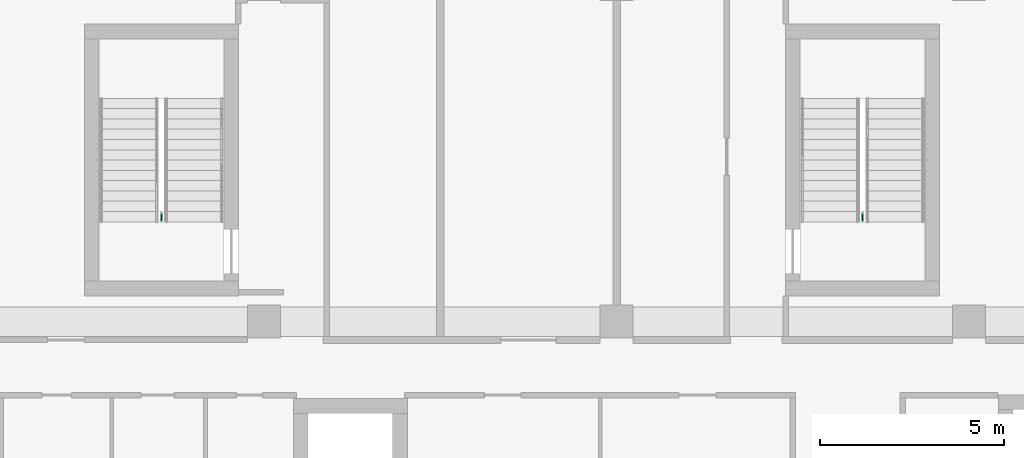
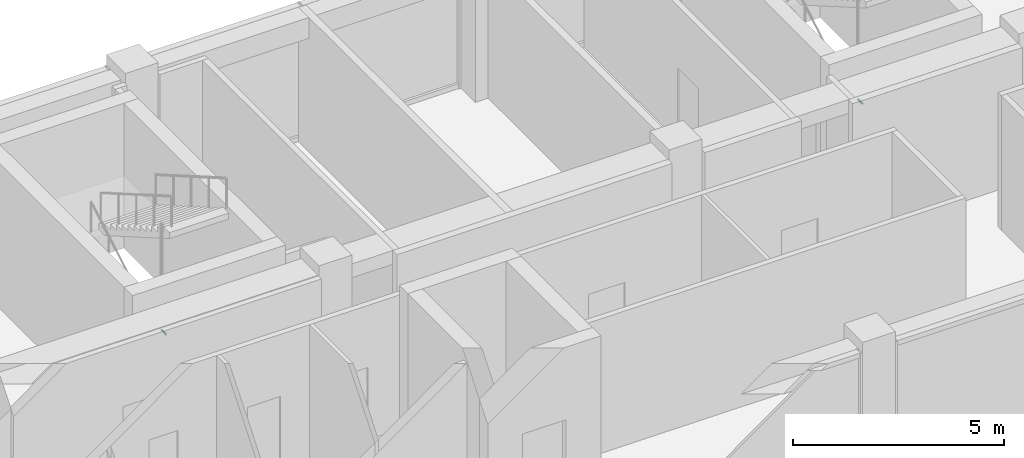
# One storey, part 38 of 38: 2 pipe fittings.
"""IFC4 building model written with IfcOpenShell, lengths in metres."""

import ifcopenshell
import ifcopenshell.guid

model = None  # the IFC model being written
_history = None  # IfcOwnerHistory: only IFC2X3 demands one
_inside = {}  # id of a spatial element -> (the spatial element, [elements in it])
_under = {}  # id of a project, library or spatial element -> (it, [spatial elements below it])
_declared = {}  # id of a project -> (the project, [libraries it declares])
_typed = {}  # id of a type object -> (the type object, [elements of that type])
_made_of = {}  # id of a material, layer set ... -> (it, [elements and type objects made of it])


def new_model(schema):
    """Start an empty IFC model of exactly this schema.

    Asked for "IFC4X3", IfcOpenShell would pick the latest addendum, in which some entities
    have other attributes; the version numbers below select the first issue.
    IFC2X3 requires an IfcOwnerHistory on every rooted entity: one is made here for all.
    """
    global model, _history
    if schema == "IFC4X3":
        model = ifcopenshell.file(schema_version=(4, 3, 0, 0))
    else:
        model = ifcopenshell.file(schema=schema)
    _inside.clear()
    _under.clear()
    _declared.clear()
    _typed.clear()
    _made_of.clear()
    _history = None
    if model.schema == "IFC2X3":
        org = make("IfcOrganization", Name="unknown")
        user = make(
            "IfcPersonAndOrganization",
            ThePerson=make("IfcPerson", FamilyName="unknown"),
            TheOrganization=org,
        )
        app = make(
            "IfcApplication",
            ApplicationDeveloper=org,
            Version="unknown",
            ApplicationFullName="unknown",
            ApplicationIdentifier="unknown",
        )
        _history = make(
            "IfcOwnerHistory",
            OwningUser=user,
            OwningApplication=app,
            ChangeAction="ADDED",
            CreationDate=0,
        )
    return model


def make(cls, **values):
    """One entity of the class cls with the attributes given. An attribute that is None is left unset."""
    return model.create_entity(
        cls, **{name: value for name, value in values.items() if value is not None}
    )


def rooted(cls, **values):
    """An entity with a GlobalId (a new one), such as an element, a storey or a relation."""
    return make(cls, GlobalId=ifcopenshell.guid.new(), OwnerHistory=_history, **values)


def si_unit(unit_type, name, prefix=None):
    """IfcSIUnit, for example si_unit("LENGTHUNIT", "METRE", prefix="MILLI")."""
    return make("IfcSIUnit", UnitType=unit_type, Prefix=prefix, Name=name)


def assignment(units):
    """IfcUnitAssignment: the units of a project."""
    return None if units is None else make("IfcUnitAssignment", Units=units)


def point(xyz):
    """IfcCartesianPoint."""
    return None if xyz is None else make("IfcCartesianPoint", Coordinates=xyz)


def direction(xyz):
    """IfcDirection."""
    return None if xyz is None else make("IfcDirection", DirectionRatios=xyz)


def frame(location, z_axis=None, x_axis=None):
    """IfcAxis2Placement3D, a coordinate frame: its origin and axes. An axis left out is left unset."""
    return make(
        "IfcAxis2Placement3D",
        Location=point(location),
        Axis=direction(z_axis),
        RefDirection=direction(x_axis),
    )


def frame_2d(location, x_axis=None):
    """IfcAxis2Placement2D, a coordinate frame in the plane: its origin and x axis."""
    return make(
        "IfcAxis2Placement2D", Location=point(location), RefDirection=direction(x_axis)
    )


def origin():
    """The frame at (0, 0, 0) with its axes left unset."""
    return frame((0.0, 0.0, 0.0))


def origin_2d():
    """The frame at (0, 0) in the plane with its x axis left unset."""
    return frame_2d((0.0, 0.0))


def place(relative_to, where):
    """IfcLocalPlacement: puts the frame where relative to a parent placement (None: the world)."""
    return make(
        "IfcLocalPlacement", PlacementRelTo=relative_to, RelativePlacement=where
    )


def context(
    kind, dimensions, precision=None, world=None, true_north=None, identifier=None
):
    """IfcGeometricRepresentationContext, for example the 3D "Model" context."""
    return make(
        "IfcGeometricRepresentationContext",
        ContextIdentifier=identifier,
        ContextType=kind,
        CoordinateSpaceDimension=dimensions,
        Precision=precision,
        WorldCoordinateSystem=world,
        TrueNorth=true_north,
    )


def subcontext(parent, identifier, kind, view, scale=None):
    """IfcGeometricRepresentationSubContext, for example "Body" below "Model"."""
    return make(
        "IfcGeometricRepresentationSubContext",
        ContextIdentifier=identifier,
        ContextType=kind,
        ParentContext=parent,
        TargetScale=scale,
        TargetView=view,
    )


def project(units=None, contexts=None):
    """IfcProject with its units and contexts."""
    return rooted(
        "IfcProject",
        Name="project",
        RepresentationContexts=contexts,
        UnitsInContext=assignment(units),
    )


def spatial(cls, under=None, at=None, **own):
    """A site, building, storey or space (cls), placed at a placement, below another one or the project."""
    s = rooted(cls, ObjectPlacement=at, **own)
    if under is not None:
        _under.setdefault(under.id(), (under, []))[1].append(s)
    return s


def profile(cls, at=None, kind="AREA", **sizes):
    """A parametric profile (cls). Its sizes go by their IFC names, for example OverallWidth=200.0."""
    return make(cls, ProfileType=kind, Position=at, **sizes)


def circle(**sizes):
    """IfcCircleProfileDef."""
    return profile("IfcCircleProfileDef", **sizes)


def extrude(swept, where, along, depth):
    """IfcExtrudedAreaSolid: the profile swept, set in the frame where, extruded along a direction by depth."""
    return make(
        "IfcExtrudedAreaSolid",
        SweptArea=swept,
        Position=where,
        ExtrudedDirection=direction(along),
        Depth=depth,
    )


def shape(context_of_items, identifier, shape_type, items):
    """IfcShapeRepresentation: the items that make up one representation, for example the "Body"."""
    return make(
        "IfcShapeRepresentation",
        ContextOfItems=context_of_items,
        RepresentationIdentifier=identifier,
        RepresentationType=shape_type,
        Items=items,
    )


def made_of(thing, what):
    """Note that an element or type object is made of a material, layer set ...; save() writes the relation."""
    if what is not None:
        _made_of.setdefault(what.id(), (what, []))[1].append(thing)
    return thing


def element(
    cls,
    number,
    at=None,
    inside=None,
    cuts=None,
    type_object=None,
    material=None,
    context=None,
    identifier="Body",
    shape_type=None,
    held_by="IfcProductDefinitionShape",
    body=None,
    shapes=None,
    **own,
):
    """One element of the class cls, such as IfcWall. Its Tag is "e" and its number.

    at: its placement. inside: the storey or other place that contains it. cuts: it is an
    opening in that element (IfcRelVoidsElement). A single representation is given by context,
    identifier, shape_type and body (its items); several are given by shapes. held_by: the class
    of the entity that holds the representations. save() writes the other relations.
    """
    e = rooted(cls, Tag="e%d" % number, ObjectPlacement=at, **own)
    if body is not None:
        shapes = [shape(context, identifier, shape_type, body)]
    if shapes is not None:
        e.Representation = make(held_by, Representations=shapes)
    if inside is not None:
        _inside.setdefault(inside.id(), (inside, []))[1].append(e)
    if cuts is not None:
        rooted(
            "IfcRelVoidsElement", RelatingBuildingElement=cuts, RelatedOpeningElement=e
        )
    if type_object is not None:
        _typed.setdefault(type_object.id(), (type_object, []))[1].append(e)
    return made_of(e, material)


def aggregate(whole, parts):
    """IfcRelAggregates: a whole, such as a stair, and the parts it consists of."""
    return rooted("IfcRelAggregates", RelatingObject=whole, RelatedObjects=parts)


def save(model, path):
    """Write the relations noted so far, then the file.

    IfcRelAggregates (storeys below a building ...), IfcRelContainedInSpatialStructure (elements
    in a storey), IfcRelDefinesByType, IfcRelAssociatesMaterial and IfcRelDeclares: one each for
    every whole, place, type object, material and project.
    """
    for whole, parts in _under.values():
        aggregate(whole, parts)
    for where, things in _inside.values():
        rooted(
            "IfcRelContainedInSpatialStructure",
            RelatedElements=things,
            RelatingStructure=where,
        )
    for kind, things in _typed.values():
        rooted("IfcRelDefinesByType", RelatedObjects=things, RelatingType=kind)
    for what, things in _made_of.values():
        rooted("IfcRelAssociatesMaterial", RelatedObjects=things, RelatingMaterial=what)
    for by, libraries in _declared.values():
        rooted("IfcRelDeclares", RelatingContext=by, RelatedDefinitions=libraries)
    model.write(path)


model = new_model("IFC4")

# Units and contexts
model_context = context("Model", 3, precision=1e-05, world=origin(), true_north=direction((0.0, 1.0)))
body_context = subcontext(model_context, "Body", "Model", "MODEL_VIEW")
ifc_project = project(units=[si_unit("LENGTHUNIT", "METRE"), si_unit("AREAUNIT", "SQUARE_METRE"), si_unit("VOLUMEUNIT", "CUBIC_METRE"), si_unit("PLANEANGLEUNIT", "RADIAN"), si_unit("MASSUNIT", "GRAM", prefix="KILO")], contexts=[model_context])

# Site, building, storey
site_placement = place(None, origin())
site = spatial("IfcSite", under=ifc_project, at=site_placement, CompositionType="ELEMENT")
building_placement = place(site_placement, origin())
building = spatial("IfcBuilding", under=site, at=building_placement, Name="Nzadi Deep Aquarium and Research Tower", CompositionType="ELEMENT")
storey_placement = place(building_placement, frame((0.0, 0.0, 52.89990234375)))
storey = spatial("IfcBuildingStorey", under=building, at=storey_placement, Name="L10", CompositionType="ELEMENT", Elevation=52.89990234375)

# Pipe fittings
for number, where, z_axis, x_axis, name in (
    (1, (6.800048828125, 39.77001953125, 1.10009765625), (0.0, -1.0, 0.0), (1.0, 0.0, 0.0), "Dry riser outlet ST-Z1-NW L10"),
    (2, (25.89990234375, 39.77001953125, 1.10009765625), (0.0, -1.0, 0.0), (1.0, 0.0, 0.0), "Dry riser outlet ST-Z1-NE L10"),
):
    element("IfcPipeFitting", number, at=place(storey_placement, frame(where, z_axis=z_axis, x_axis=x_axis)), inside=storey, Name=name, PredefinedType="EXIT", context=body_context, shape_type="SweptSolid", body=[
        extrude(circle(Radius=0.0224609375, at=origin_2d()), origin(), (0.0, 0.0, 1.0), 0.22998046875),
    ])

save(model, "model.ifc")
